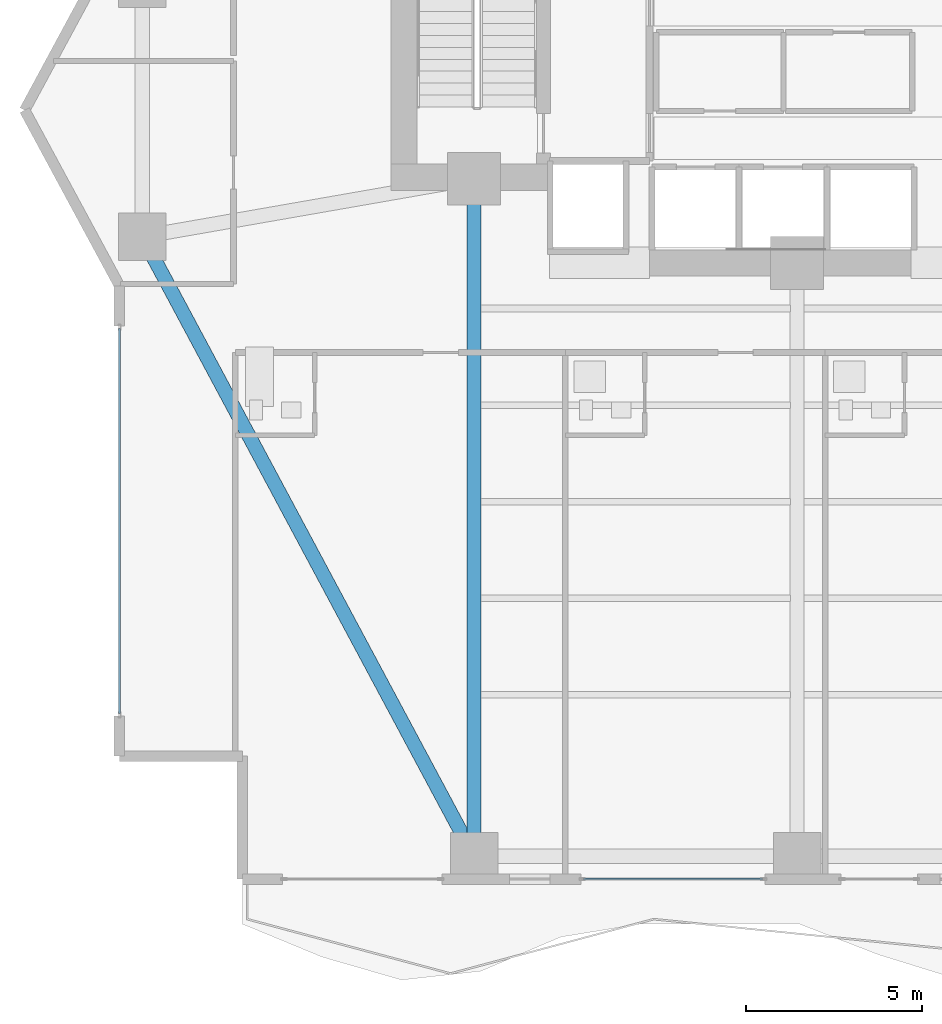
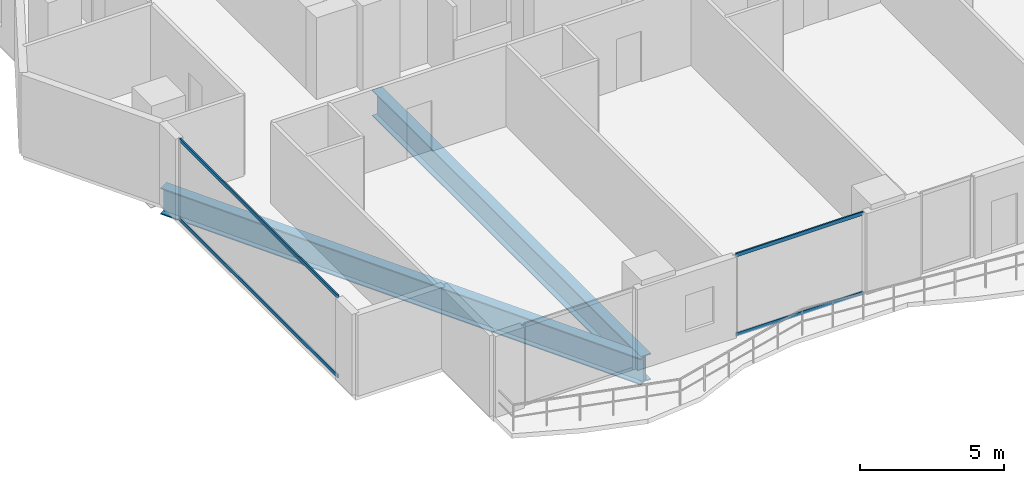
# One storey, part 3 of 29: 4 members, 2 beams, 2 elements without a shape of their own.
"""IFC4 building model written with IfcOpenShell, lengths in metres."""

from ifc_helpers import new_model, si_unit, direction, frame, origin, origin_2d, place, context, subcontext, project, spatial, hollow_rectangle, i_section, extrude, material, layer, layer_set, material_profile, profile_set, type_object, element, aggregate, save


model = new_model("IFC4")

# Units and contexts
model_context = context("Model", 3, precision=1e-05, world=origin(), true_north=direction((0.0, 1.0)))
body_context = subcontext(model_context, "Body", "Model", "MODEL_VIEW")
ifc_project = project(units=[si_unit("LENGTHUNIT", "METRE"), si_unit("AREAUNIT", "SQUARE_METRE"), si_unit("VOLUMEUNIT", "CUBIC_METRE"), si_unit("PLANEANGLEUNIT", "RADIAN"), si_unit("MASSUNIT", "GRAM", prefix="KILO")], contexts=[model_context])

# Site, building, storey
site_placement = place(None, origin())
site = spatial("IfcSite", under=ifc_project, at=site_placement, CompositionType="ELEMENT")
building_placement = place(site_placement, origin())
building = spatial("IfcBuilding", under=site, at=building_placement, Name="Zuhayl Quay Hotel", CompositionType="ELEMENT")
storey_placement = place(building_placement, frame((0.0, 0.0, 95.64990234375)))
storey = spatial("IfcBuildingStorey", under=building, at=storey_placement, Name="L23", CompositionType="ELEMENT", Elevation=95.64990234375)

# Beams
ifc_material_1 = material(Name="Steel ASTM A913 Grade 65", Category="steel")
ifc_material_profile_1 = material_profile(ifc_material_1, i_section(OverallWidth=0.404052734375, OverallDepth=1.117919921875, WebThickness=0.026123046875, FlangeThickness=0.044921875, at=origin_2d()), Name="W44X335")
ifc_profile_set_1 = profile_set([ifc_material_profile_1], Name="Steel ASTM A913 Grade 65")
beam_type = type_object("IfcBeamType", Name="BM_TG1_W44X335", PredefinedType="BEAM", material=ifc_profile_set_1)
beam_1_placement = place(storey_placement, frame((-23.155517578125, 2.7236328125, -0.81884765625), z_axis=(0.472014911412, -0.881590564494, 0.0), x_axis=(0.881590564494, 0.472014911412, 0.0)))
element("IfcBeam", 1, at=beam_1_placement, inside=storey, type_object=beam_type, Name="L23 Floor Beam RG_L23_12", PredefinedType="BEAM", context=body_context, shape_type="SweptSolid", body=[
    extrude(i_section(OverallWidth=0.404052734375, OverallDepth=1.117919921875, WebThickness=0.026123046875, FlangeThickness=0.044921875, at=origin_2d()), origin(), (0.0, 0.0, 1.0), 19.62060546875),
])
beam_2_placement = place(storey_placement, frame((-13.800048828125, -14.550048828125, -0.81884765625), z_axis=(0.0, 1.0, 0.0), x_axis=(-1.0, 0.0, 0.0)))
element("IfcBeam", 2, at=beam_2_placement, inside=storey, type_object=beam_type, Name="L23 Floor Beam FG_S_L23_1", PredefinedType="BEAM", context=body_context, shape_type="SweptSolid", body=[
    extrude(i_section(OverallWidth=0.404052734375, OverallDepth=1.117919921875, WebThickness=0.026123046875, FlangeThickness=0.044921875, at=origin_2d()), origin(), (0.0, 0.0, 1.0), 18.650146484375),
])

# Curtain wall, members
ifc_material_2 = material(Name="Anodised Aluminium 6063-T6", Category="aluminium")
ifc_layer = layer(ifc_material_2, 0.179931640625, Name="Anodised Aluminium 6063-T6", Category="aluminium")
ifc_layer_set = layer_set([ifc_layer], Name="Anodised Aluminium 6063-T6")
curtain_wall_type = type_object("IfcCurtainWallType", Name="CW_SYS_Z2", PredefinedType="USERDEFINED", material=ifc_layer_set)
curtain_wall_1_placement = place(storey_placement, origin())
curtain_wall_1 = element("IfcCurtainWall", 3, at=curtain_wall_1_placement, inside=storey, type_object=curtain_wall_type, Name="L23 Curtain Wall ENV_L23_E02_CW1", ObjectType="UNITISED CURTAIN WALL", PredefinedType="USERDEFINED")
ifc_material_3 = material(Name="Black-anodised aluminium 6063-T6", Category="aluminium")
ifc_material_profile_2 = material_profile(ifc_material_3, hollow_rectangle(XDim=0.06005859375, YDim=0.14990234375, WallThickness=0.00341796875, at=origin_2d()), Name="ALU150X60")
ifc_profile_set_2 = profile_set([ifc_material_profile_2], Name="Black-anodised aluminium 6063-T6")
member_type = type_object("IfcMemberType", Name="MB_CW_TRN_150", PredefinedType="USERDEFINED", material=ifc_profile_set_2)
member_1_placement = place(storey_placement, frame((-23.89990234375, -10.68505859375, 0.030029296875), z_axis=(0.0, 1.0, 0.0), x_axis=(-1.0, 0.0, 0.0)))
member_1 = element("IfcMember", 4, at=member_1_placement, type_object=member_type, Name="CW-Z2 transom 1.1", ObjectType="TRANSOM", PredefinedType="USERDEFINED", context=body_context, shape_type="SweptSolid", body=[
    extrude(hollow_rectangle(XDim=0.06005859375, YDim=0.14990234375, WallThickness=0.00341796875, at=origin_2d()), origin(), (0.0, 0.0, 1.0), 10.969970703125),
])
member_2_placement = place(storey_placement, frame((-23.89990234375, -10.68505859375, 3.400146484375), z_axis=(0.0, 1.0, 0.0), x_axis=(-1.0, 0.0, 0.0)))
member_2 = element("IfcMember", 5, at=member_2_placement, type_object=member_type, Name="CW-Z2 transom 1.2", ObjectType="TRANSOM", PredefinedType="USERDEFINED", context=body_context, shape_type="SweptSolid", body=[
    extrude(hollow_rectangle(XDim=0.06005859375, YDim=0.14990234375, WallThickness=0.00341796875, at=origin_2d()), origin(), (0.0, 0.0, 1.0), 10.969970703125),
])
aggregate(curtain_wall_1, [member_1, member_2])

curtain_wall_2_placement = place(storey_placement, origin())
curtain_wall_2 = element("IfcCurtainWall", 6, at=curtain_wall_2_placement, inside=storey, type_object=curtain_wall_type, Name="L23 Curtain Wall ENV_L23_S_CW5", ObjectType="UNITISED CURTAIN WALL", PredefinedType="USERDEFINED")
member_3_placement = place(storey_placement, frame((-5.5849609375, -15.39990234375, 0.030029296875), z_axis=(-1.0, 0.0, 0.0), x_axis=(0.0, -1.0, 0.0)))
member_3 = element("IfcMember", 7, at=member_3_placement, type_object=member_type, Name="CW-Z2 transom 1.1", ObjectType="TRANSOM", PredefinedType="USERDEFINED", context=body_context, shape_type="SweptSolid", body=[
    extrude(hollow_rectangle(XDim=0.06005859375, YDim=0.14990234375, WallThickness=0.00341796875, at=origin_2d()), origin(), (0.0, 0.0, 1.0), 5.10009765625),
])
member_4_placement = place(storey_placement, frame((-5.5849609375, -15.39990234375, 3.400146484375), z_axis=(-1.0, 0.0, 0.0), x_axis=(0.0, -1.0, 0.0)))
member_4 = element("IfcMember", 8, at=member_4_placement, type_object=member_type, Name="CW-Z2 transom 1.2", ObjectType="TRANSOM", PredefinedType="USERDEFINED", context=body_context, shape_type="SweptSolid", body=[
    extrude(hollow_rectangle(XDim=0.06005859375, YDim=0.14990234375, WallThickness=0.00341796875, at=origin_2d()), origin(), (0.0, 0.0, 1.0), 5.10009765625),
])
aggregate(curtain_wall_2, [member_3, member_4])

save(model, "model.ifc")
